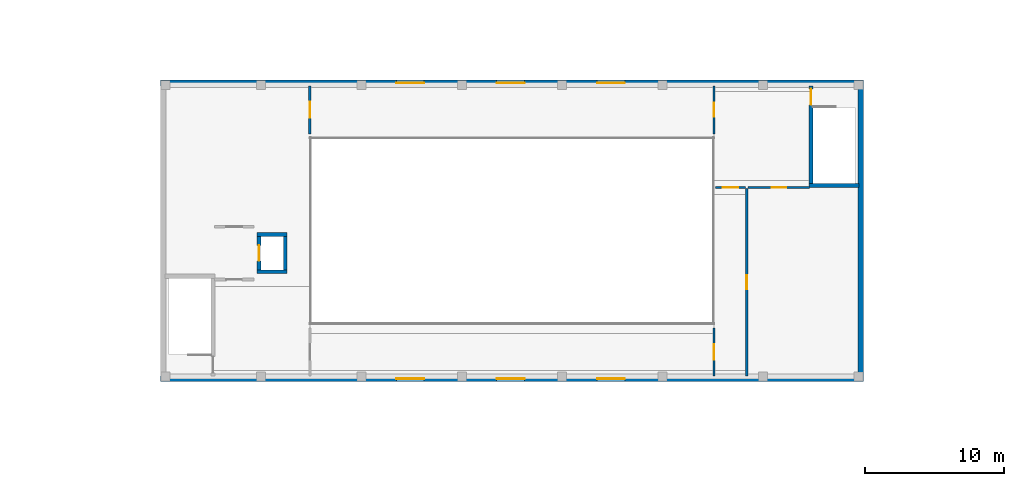
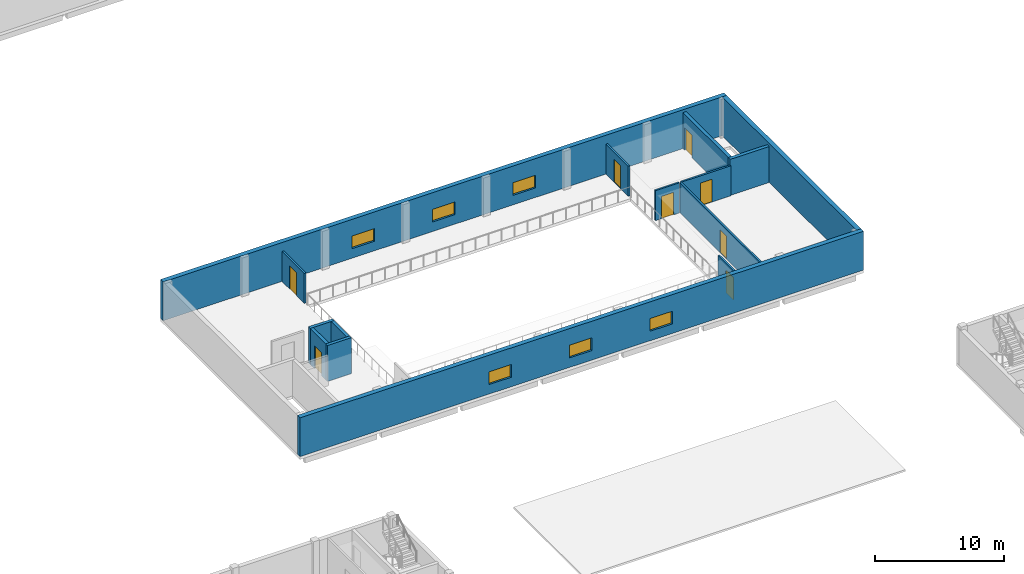
# One storey, part 40 of 73: 15 walls, 8 doors, 6 windows, 14 openings.
"""IFC4 building model written with IfcOpenShell, lengths in metres."""

from ifc_helpers import new_model, si_unit, derived_unit, direction, frame, frame_2d, origin, place, context, subcontext, project, spatial, rectangle, extrude, material, layer, layer_set, type_object, element, fill, save


model = new_model("IFC4")

# Units and contexts
model_context = context("Model", 3, precision=1e-05, world=origin(), true_north=direction((0.0, 1.0)))
body_context = subcontext(model_context, "Body", "Model", "MODEL_VIEW")
ifc_project = project(units=[si_unit("LENGTHUNIT", "METRE"), si_unit("AREAUNIT", "SQUARE_METRE"), si_unit("VOLUMEUNIT", "CUBIC_METRE"), si_unit("PLANEANGLEUNIT", "RADIAN"), si_unit("MASSUNIT", "GRAM", prefix="KILO"), derived_unit("THERMALTRANSMITTANCEUNIT", [(si_unit("MASSUNIT", "GRAM", prefix="KILO"), 1), (si_unit("TIMEUNIT", "SECOND"), -3), (si_unit("THERMODYNAMICTEMPERATUREUNIT", "KELVIN"), -1)])], contexts=[model_context])

# Site, building, storey
site_placement = place(None, origin())
site = spatial("IfcSite", under=ifc_project, at=site_placement, CompositionType="ELEMENT")
building_placement = place(site_placement, origin())
building = spatial("IfcBuilding", under=site, at=building_placement, Name="Ochrekiln Boulevard Commons", CompositionType="ELEMENT")
storey_placement = place(building_placement, frame((0.0, 0.0, 4.89990234375)))
storey = spatial("IfcBuildingStorey", under=building, at=storey_placement, Name="L01", CompositionType="ELEMENT", Elevation=4.89990234375)

# Wall, openings, windows
ifc_material_1 = material(Name="Iron-spot brown clinker brick masonry ASTM C216 Grade SW", Category="masonry")
ifc_layer_1 = layer(ifc_material_1, 0.39990234375)
ifc_layer_set_1 = layer_set([ifc_layer_1], Name="Iron-spot brown clinker brick masonry ASTM C216 Grade SW")
wall_type_1 = type_object("IfcWallType", Name="WL-EXT-HALL-400", PredefinedType="SOLIDWALL", material=ifc_layer_set_1)
wall_1_placement = place(storey_placement, frame((57.60009765625, 36.199951171875, 0.0), z_axis=(0.0, 0.0, 1.0), x_axis=(1.0, 0.0, 0.0)))
wall_1 = element("IfcWall", 1, at=wall_1_placement, inside=storey, type_object=wall_type_1, Name="Community Hall L01 S Exterior Wall", PredefinedType="SOLIDWALL", context=body_context, shape_type="SweptSolid", body=[
    extrude(rectangle(XDim=50.39990234375, YDim=0.39990234375, at=frame_2d((25.199951171875, 0.0))), origin(), (0.0, 0.0, 1.0), 3.675048828125),
])
opening_1_placement = place(wall_1_placement, frame((16.89990234375, 0.0, 0.89990234375)))
opening_1 = element("IfcOpeningElement", 2, at=opening_1_placement, cuts=wall_1, Name="Opening W-46", PredefinedType="OPENING", context=body_context, shape_type="SweptSolid", body=[
    extrude(rectangle(XDim=2.0, YDim=1.199951171875, at=frame_2d((1.0, 0.60009765625))), frame((0.0, 0.2099609375, 0.0), z_axis=(0.0, -1.0, 0.0), x_axis=(1.0, 0.0, 0.0)), (0.0, 0.0, 1.0), 0.419921875),
])
opening_2_placement = place(wall_1_placement, frame((24.10009765625, 0.0, 0.89990234375)))
opening_2 = element("IfcOpeningElement", 3, at=opening_2_placement, cuts=wall_1, Name="Opening W-46", PredefinedType="OPENING", context=body_context, shape_type="SweptSolid", body=[
    extrude(rectangle(XDim=2.0, YDim=1.199951171875, at=frame_2d((1.0, 0.60009765625))), frame((0.0, 0.2099609375, 0.0), z_axis=(0.0, -1.0, 0.0), x_axis=(1.0, 0.0, 0.0)), (0.0, 0.0, 1.0), 0.419921875),
])
opening_3_placement = place(wall_1_placement, frame((31.300048828125, 0.0, 0.89990234375)))
opening_3 = element("IfcOpeningElement", 4, at=opening_3_placement, cuts=wall_1, Name="Opening W-46", PredefinedType="OPENING", context=body_context, shape_type="SweptSolid", body=[
    extrude(rectangle(XDim=2.0, YDim=1.199951171875, at=frame_2d((1.0, 0.60009765625))), frame((0.0, 0.2099609375, 0.0), z_axis=(0.0, -1.0, 0.0), x_axis=(1.0, 0.0, 0.0)), (0.0, 0.0, 1.0), 0.419921875),
])
ifc_material_2 = material(Name="Thermally broken aluminium-clad oak frame", Category="aluminium")
window_type = type_object("IfcWindowType", Name="WIN-EXT-46", PartitioningType="DOUBLE_PANEL_VERTICAL", PredefinedType="WINDOW", material=ifc_material_2)
window_1_placement = place(opening_1_placement, origin())
window_1 = element("IfcWindow", 5, at=window_1_placement, inside=storey, type_object=window_type, Name="Community Hall Clerestory Window S-3", OverallHeight=1.199951171875, OverallWidth=2.0, PartitioningType="DOUBLE_PANEL_VERTICAL", PredefinedType="WINDOW", context=body_context, shape_type="SweptSolid", body=[
    extrude(rectangle(XDim=2.0, YDim=1.199951171875, at=frame_2d((1.0, 0.60009765625))), frame((0.0, 0.030029296875, 0.0), z_axis=(0.0, -1.0, 0.0), x_axis=(1.0, 0.0, 0.0)), (0.0, 0.0, 1.0), 0.06005859375),
])
fill(opening_1, window_1)
window_2_placement = place(opening_2_placement, origin())
window_2 = element("IfcWindow", 6, at=window_2_placement, inside=storey, type_object=window_type, Name="Community Hall Clerestory Window S-4", OverallHeight=1.199951171875, OverallWidth=2.0, PartitioningType="DOUBLE_PANEL_VERTICAL", PredefinedType="WINDOW", context=body_context, shape_type="SweptSolid", body=[
    extrude(rectangle(XDim=2.0, YDim=1.199951171875, at=frame_2d((1.0, 0.60009765625))), frame((0.0, 0.030029296875, 0.0), z_axis=(0.0, -1.0, 0.0), x_axis=(1.0, 0.0, 0.0)), (0.0, 0.0, 1.0), 0.06005859375),
])
fill(opening_2, window_2)
window_3_placement = place(opening_3_placement, origin())
window_3 = element("IfcWindow", 7, at=window_3_placement, inside=storey, type_object=window_type, Name="Community Hall Clerestory Window S-5", OverallHeight=1.199951171875, OverallWidth=2.0, PartitioningType="DOUBLE_PANEL_VERTICAL", PredefinedType="WINDOW", context=body_context, shape_type="SweptSolid", body=[
    extrude(rectangle(XDim=2.0, YDim=1.199951171875, at=frame_2d((1.0, 0.60009765625))), frame((0.0, 0.030029296875, 0.0), z_axis=(0.0, -1.0, 0.0), x_axis=(1.0, 0.0, 0.0)), (0.0, 0.0, 1.0), 0.06005859375),
])
fill(opening_3, window_3)

wall_2_placement = place(storey_placement, frame((57.60009765625, 57.39990234375, 0.0), z_axis=(0.0, 0.0, 1.0), x_axis=(1.0, 0.0, 0.0)))
wall_2 = element("IfcWall", 8, at=wall_2_placement, inside=storey, type_object=wall_type_1, Name="Community Hall L01 N Exterior Wall", PredefinedType="SOLIDWALL", context=body_context, shape_type="SweptSolid", body=[
    extrude(rectangle(XDim=50.39990234375, YDim=0.39990234375, at=frame_2d((25.199951171875, 0.0))), origin(), (0.0, 0.0, 1.0), 3.675048828125),
])
opening_4_placement = place(wall_2_placement, frame((16.89990234375, 0.0, 0.89990234375)))
opening_4 = element("IfcOpeningElement", 9, at=opening_4_placement, cuts=wall_2, Name="Opening W-46", PredefinedType="OPENING", context=body_context, shape_type="SweptSolid", body=[
    extrude(rectangle(XDim=2.0, YDim=1.199951171875, at=frame_2d((1.0, 0.60009765625))), frame((0.0, 0.2099609375, 0.0), z_axis=(0.0, -1.0, 0.0), x_axis=(1.0, 0.0, 0.0)), (0.0, 0.0, 1.0), 0.419921875),
])
opening_5_placement = place(wall_2_placement, frame((24.10009765625, 0.0, 0.89990234375)))
opening_5 = element("IfcOpeningElement", 10, at=opening_5_placement, cuts=wall_2, Name="Opening W-46", PredefinedType="OPENING", context=body_context, shape_type="SweptSolid", body=[
    extrude(rectangle(XDim=2.0, YDim=1.199951171875, at=frame_2d((1.0, 0.60009765625))), frame((0.0, 0.2099609375, 0.0), z_axis=(0.0, -1.0, 0.0), x_axis=(1.0, 0.0, 0.0)), (0.0, 0.0, 1.0), 0.419921875),
])
opening_6_placement = place(wall_2_placement, frame((31.300048828125, 0.0, 0.89990234375)))
opening_6 = element("IfcOpeningElement", 11, at=opening_6_placement, cuts=wall_2, Name="Opening W-46", PredefinedType="OPENING", context=body_context, shape_type="SweptSolid", body=[
    extrude(rectangle(XDim=2.0, YDim=1.199951171875, at=frame_2d((1.0, 0.60009765625))), frame((0.0, 0.2099609375, 0.0), z_axis=(0.0, -1.0, 0.0), x_axis=(1.0, 0.0, 0.0)), (0.0, 0.0, 1.0), 0.419921875),
])
window_4_placement = place(opening_4_placement, origin())
window_4 = element("IfcWindow", 12, at=window_4_placement, inside=storey, type_object=window_type, Name="Community Hall Clerestory Window N-3", OverallHeight=1.199951171875, OverallWidth=2.0, PartitioningType="DOUBLE_PANEL_VERTICAL", PredefinedType="WINDOW", context=body_context, shape_type="SweptSolid", body=[
    extrude(rectangle(XDim=2.0, YDim=1.199951171875, at=frame_2d((1.0, 0.60009765625))), frame((0.0, 0.030029296875, 0.0), z_axis=(0.0, -1.0, 0.0), x_axis=(1.0, 0.0, 0.0)), (0.0, 0.0, 1.0), 0.06005859375),
])
fill(opening_4, window_4)
window_5_placement = place(opening_5_placement, origin())
window_5 = element("IfcWindow", 13, at=window_5_placement, inside=storey, type_object=window_type, Name="Community Hall Clerestory Window N-4", OverallHeight=1.199951171875, OverallWidth=2.0, PartitioningType="DOUBLE_PANEL_VERTICAL", PredefinedType="WINDOW", context=body_context, shape_type="SweptSolid", body=[
    extrude(rectangle(XDim=2.0, YDim=1.199951171875, at=frame_2d((1.0, 0.60009765625))), frame((0.0, 0.030029296875, 0.0), z_axis=(0.0, -1.0, 0.0), x_axis=(1.0, 0.0, 0.0)), (0.0, 0.0, 1.0), 0.06005859375),
])
fill(opening_5, window_5)
window_6_placement = place(opening_6_placement, origin())
window_6 = element("IfcWindow", 14, at=window_6_placement, inside=storey, type_object=window_type, Name="Community Hall Clerestory Window N-5", OverallHeight=1.199951171875, OverallWidth=2.0, PartitioningType="DOUBLE_PANEL_VERTICAL", PredefinedType="WINDOW", context=body_context, shape_type="SweptSolid", body=[
    extrude(rectangle(XDim=2.0, YDim=1.199951171875, at=frame_2d((1.0, 0.60009765625))), frame((0.0, 0.030029296875, 0.0), z_axis=(0.0, -1.0, 0.0), x_axis=(1.0, 0.0, 0.0)), (0.0, 0.0, 1.0), 0.06005859375),
])
fill(opening_6, window_6)

# Wall
wall_3_placement = place(storey_placement, frame((107.800048828125, 36.39990234375, 0.0), z_axis=(0.0, 0.0, 1.0), x_axis=(0.0, 1.0, 0.0)))
element("IfcWall", 15, at=wall_3_placement, inside=storey, type_object=wall_type_1, Name="Community Hall L01 E Exterior Wall", PredefinedType="SOLIDWALL", context=body_context, shape_type="SweptSolid", body=[
    extrude(rectangle(XDim=20.800048828125, YDim=0.39990234375, at=frame_2d((10.39990234375, 0.0))), origin(), (0.0, 0.0, 1.0), 3.675048828125),
])

# Wall, opening, door
ifc_material_3 = material(Name="Fire-rated Type X gypsum board on steel studs", Category="steel")
ifc_layer_2 = layer(ifc_material_3, 0.169921875)
ifc_layer_set_2 = layer_set([ifc_layer_2], Name="Fire-rated Type X gypsum board on steel studs")
wall_type_2 = type_object("IfcWallType", Name="WL-PT-CIV-170", PredefinedType="PARTITIONING", material=ifc_layer_set_2)
wall_4_placement = place(storey_placement, frame((68.31005859375, 53.75, 0.0), z_axis=(0.0, 0.0, 1.0), x_axis=(0.0, 1.0, 0.0)))
wall_4 = element("IfcWall", 16, at=wall_4_placement, inside=storey, type_object=wall_type_2, Name="L01 Interior Wall W-PV170", PredefinedType="PARTITIONING", context=body_context, shape_type="SweptSolid", body=[
    extrude(rectangle(XDim=3.449951171875, YDim=0.169921875, at=frame_2d((1.72509765625, 0.0))), origin(), (0.0, 0.0, 1.0), 2.840087890625),
])
opening_7_placement = place(wall_4_placement, frame((1.155029296875, 0.0, 0.0)))
opening_7 = element("IfcOpeningElement", 17, at=opening_7_placement, cuts=wall_4, Name="Opening D-L01-273", PredefinedType="OPENING", context=body_context, shape_type="SweptSolid", body=[
    extrude(rectangle(XDim=1.139892578125, YDim=2.179931640625, at=frame_2d((0.56982421875, 1.08984375))), frame((0.0, 0.094970703125, 0.0), z_axis=(0.0, -1.0, 0.0), x_axis=(1.0, 0.0, 0.0)), (0.0, 0.0, 1.0), 0.18994140625),
])
ifc_material_4 = material(Name="Solid core architectural oak door leaf")
door_type_1 = type_object("IfcDoorType", Name="DR-INT-CIV-114", OperationType="NOTDEFINED", PredefinedType="DOOR", material=ifc_material_4)
door_1_placement = place(opening_7_placement, origin())
door_1 = element("IfcDoor", 18, at=door_1_placement, inside=storey, type_object=door_type_1, Name="L01 Interior Door to Community Craft Room", OperationType="SINGLE_SWING_LEFT", OverallHeight=2.179931640625, OverallWidth=1.139892578125, PredefinedType="DOOR", context=body_context, shape_type="SweptSolid", body=[
    extrude(rectangle(XDim=1.139892578125, YDim=2.179931640625, at=frame_2d((0.56982421875, 1.08984375))), frame((0.0, 0.02490234375, 0.0), z_axis=(0.0, -1.0, 0.0), x_axis=(1.0, 0.0, 0.0)), (0.0, 0.0, 1.0), 0.050048828125),
])
fill(opening_7, door_1)

ifc_layer_3 = layer(ifc_material_3, 0.1650390625)
ifc_layer_set_3 = layer_set([ifc_layer_3], Name="Fire-rated Type X gypsum board on steel studs")
wall_type_3 = type_object("IfcWallType", Name="WL-PT-CORR-165", PredefinedType="PARTITIONING", material=ifc_layer_set_3)
wall_5_placement = place(storey_placement, frame((97.2900390625, 36.39990234375, 0.0), z_axis=(0.0, 0.0, 1.0), x_axis=(0.0, 1.0, 0.0)))
wall_5 = element("IfcWall", 19, at=wall_5_placement, inside=storey, type_object=wall_type_3, Name="L01 Interior Wall W-PC165", PredefinedType="PARTITIONING", context=body_context, shape_type="SweptSolid", body=[
    extrude(rectangle(XDim=3.4501953125, YDim=0.1650390625, at=frame_2d((1.72509765625, 0.0))), origin(), (0.0, 0.0, 1.0), 2.840087890625),
])
opening_8_placement = place(wall_5_placement, frame((1.175048828125, 0.0, 0.0)))
opening_8 = element("IfcOpeningElement", 20, at=opening_8_placement, cuts=wall_5, Name="Opening D-L01-274", PredefinedType="OPENING", context=body_context, shape_type="SweptSolid", body=[
    extrude(rectangle(XDim=1.10009765625, YDim=2.1201171875, at=frame_2d((0.550048828125, 1.06005859375))), frame((0.0, 0.092529296875, 0.0), z_axis=(0.0, -1.0, 0.0), x_axis=(1.0, 0.0, 0.0)), (0.0, 0.0, 1.0), 0.18505859375),
])
ifc_material_5 = material(Name="Hollow metal fire-rated steel door assembly", Category="steel")
door_type_2 = type_object("IfcDoorType", Name="DR-LOBBY-60", OperationType="NOTDEFINED", PredefinedType="DOOR", material=ifc_material_5)
door_2_placement = place(opening_8_placement, frame((1.10009765625, 0.0, 0.0), z_axis=(0.0, 0.0, 1.0), x_axis=(-1.0, 0.0, 0.0)))
door_2 = element("IfcDoor", 21, at=door_2_placement, inside=storey, type_object=door_type_2, Name="L01 Interior Door to South-East Mezzanine Corridor", OperationType="SINGLE_SWING_RIGHT", OverallHeight=2.1201171875, OverallWidth=1.10009765625, PredefinedType="DOOR", context=body_context, shape_type="SweptSolid", body=[
    extrude(rectangle(XDim=1.10009765625, YDim=2.1201171875, at=frame_2d((0.550048828125, 1.06005859375))), frame((0.0, 0.02490234375, 0.0), z_axis=(0.0, -1.0, 0.0), x_axis=(1.0, 0.0, 0.0)), (0.0, 0.0, 1.0), 0.050048828125),
])
fill(opening_8, door_2)

wall_6_placement = place(storey_placement, frame((97.2900390625, 53.75, 0.0), z_axis=(0.0, 0.0, 1.0), x_axis=(0.0, 1.0, 0.0)))
wall_6 = element("IfcWall", 22, at=wall_6_placement, inside=storey, type_object=wall_type_3, Name="L01 Interior Wall W-PC165", PredefinedType="PARTITIONING", context=body_context, shape_type="SweptSolid", body=[
    extrude(rectangle(XDim=3.449951171875, YDim=0.1650390625, at=frame_2d((1.72509765625, 0.0))), origin(), (0.0, 0.0, 1.0), 2.840087890625),
])
opening_9_placement = place(wall_6_placement, frame((1.215087890625, 0.0, 0.0)))
opening_9 = element("IfcOpeningElement", 23, at=opening_9_placement, cuts=wall_6, Name="Opening D-L01-275", PredefinedType="OPENING", context=body_context, shape_type="SweptSolid", body=[
    extrude(rectangle(XDim=1.02001953125, YDim=2.159912109375, at=frame_2d((0.510009765625, 1.080078125))), frame((0.0, 0.092529296875, 0.0), z_axis=(0.0, -1.0, 0.0), x_axis=(1.0, 0.0, 0.0)), (0.0, 0.0, 1.0), 0.18505859375),
])
door_type_3 = type_object("IfcDoorType", Name="DR-INT-CIV-102", OperationType="NOTDEFINED", PredefinedType="DOOR", material=ifc_material_4)
door_3_placement = place(opening_9_placement, origin())
door_3 = element("IfcDoor", 24, at=door_3_placement, inside=storey, type_object=door_type_3, Name="L01 Interior Door to Community Hall Upper Craft Gallery", OperationType="SINGLE_SWING_LEFT", OverallHeight=2.159912109375, OverallWidth=1.02001953125, PredefinedType="DOOR", context=body_context, shape_type="SweptSolid", body=[
    extrude(rectangle(XDim=1.02001953125, YDim=2.159912109375, at=frame_2d((0.510009765625, 1.080078125))), frame((0.0, 0.02490234375, 0.0), z_axis=(0.0, -1.0, 0.0), x_axis=(1.0, 0.0, 0.0)), (0.0, 0.0, 1.0), 0.050048828125),
])
fill(opening_9, door_3)

wall_7_placement = place(storey_placement, frame((97.3798828125, 49.909912109375, 0.0), z_axis=(0.0, 0.0, 1.0), x_axis=(1.0, 0.0, 0.0)))
wall_7 = element("IfcWall", 25, at=wall_7_placement, inside=storey, type_object=wall_type_3, Name="L01 Interior Wall W-PC165", PredefinedType="PARTITIONING", context=body_context, shape_type="SweptSolid", body=[
    extrude(rectangle(XDim=2.170166015625, YDim=0.1650390625, at=frame_2d((1.0849609375, 0.0))), origin(), (0.0, 0.0, 1.0), 2.840087890625),
])
opening_10_placement = place(wall_7_placement, frame((0.534912109375, 0.0, 0.0)))
opening_10 = element("IfcOpeningElement", 26, at=opening_10_placement, cuts=wall_7, Name="Opening D-L01-276", PredefinedType="OPENING", context=body_context, shape_type="SweptSolid", body=[
    extrude(rectangle(XDim=1.10009765625, YDim=2.1201171875, at=frame_2d((0.550048828125, 1.06005859375))), frame((0.0, 0.092529296875, 0.0), z_axis=(0.0, -1.0, 0.0), x_axis=(1.0, 0.0, 0.0)), (0.0, 0.0, 1.0), 0.18505859375),
])
door_4_placement = place(opening_10_placement, frame((1.10009765625, 0.0, 0.0), z_axis=(0.0, 0.0, 1.0), x_axis=(-1.0, 0.0, 0.0)))
door_4 = element("IfcDoor", 27, at=door_4_placement, inside=storey, type_object=door_type_2, Name="L01 Interior Door to South-East Mezzanine Corridor", OperationType="SINGLE_SWING_RIGHT", OverallHeight=2.1201171875, OverallWidth=1.10009765625, PredefinedType="DOOR", context=body_context, shape_type="SweptSolid", body=[
    extrude(rectangle(XDim=1.10009765625, YDim=2.1201171875, at=frame_2d((0.550048828125, 1.06005859375))), frame((0.0, 0.02490234375, 0.0), z_axis=(0.0, -1.0, 0.0), x_axis=(1.0, 0.0, 0.0)), (0.0, 0.0, 1.0), 0.050048828125),
])
fill(opening_10, door_4)

wall_8_placement = place(storey_placement, frame((99.72998046875, 49.909912109375, 0.0), z_axis=(0.0, 0.0, 1.0), x_axis=(1.0, 0.0, 0.0)))
wall_8 = element("IfcWall", 28, at=wall_8_placement, inside=storey, type_object=wall_type_3, Name="L01 Interior Wall W-PC165", PredefinedType="PARTITIONING", context=body_context, shape_type="SweptSolid", body=[
    extrude(rectangle(XDim=4.419921875, YDim=0.1650390625, at=frame_2d((2.2099609375, 0.0))), origin(), (0.0, 0.0, 1.0), 2.840087890625),
])
opening_11_placement = place(wall_8_placement, frame((1.699951171875, 0.0, 0.0)))
opening_11 = element("IfcOpeningElement", 29, at=opening_11_placement, cuts=wall_8, Name="Opening D-L01-277", PredefinedType="OPENING", context=body_context, shape_type="SweptSolid", body=[
    extrude(rectangle(XDim=1.02001953125, YDim=2.159912109375, at=frame_2d((0.510009765625, 1.080078125))), frame((0.0, 0.092529296875, 0.0), z_axis=(0.0, -1.0, 0.0), x_axis=(1.0, 0.0, 0.0)), (0.0, 0.0, 1.0), 0.18505859375),
])
door_5_placement = place(opening_11_placement, frame((1.02001953125, 0.0, 0.0), z_axis=(0.0, 0.0, 1.0), x_axis=(-1.0, 0.0, 0.0)))
door_5 = element("IfcDoor", 30, at=door_5_placement, inside=storey, type_object=door_type_3, Name="L01 Interior Door to Neighborhood Breakout Room", OperationType="SINGLE_SWING_LEFT", OverallHeight=2.159912109375, OverallWidth=1.02001953125, PredefinedType="DOOR", context=body_context, shape_type="SweptSolid", body=[
    extrude(rectangle(XDim=1.02001953125, YDim=2.159912109375, at=frame_2d((0.510009765625, 1.080078125))), frame((0.0, 0.02490234375, 0.0), z_axis=(0.0, -1.0, 0.0), x_axis=(1.0, 0.0, 0.0)), (0.0, 0.0, 1.0), 0.050048828125),
])
fill(opening_11, door_5)

wall_9_placement = place(storey_placement, frame((99.639892578125, 36.39990234375, 0.0), z_axis=(0.0, 0.0, 1.0), x_axis=(0.0, 1.0, 0.0)))
wall_9 = element("IfcWall", 31, at=wall_9_placement, inside=storey, type_object=wall_type_3, Name="L01 Interior Wall W-PC165", PredefinedType="PARTITIONING", context=body_context, shape_type="SweptSolid", body=[
    extrude(rectangle(XDim=13.427001953125, YDim=0.1650390625, at=frame_2d((6.71337890625, 0.0))), origin(), (0.0, 0.0, 1.0), 2.840087890625),
])
opening_12_placement = place(wall_9_placement, frame((6.199951171875, 0.0, 0.0)))
opening_12 = element("IfcOpeningElement", 32, at=opening_12_placement, cuts=wall_9, Name="Opening D-L01-278", PredefinedType="OPENING", context=body_context, shape_type="SweptSolid", body=[
    extrude(rectangle(XDim=1.02001953125, YDim=2.159912109375, at=frame_2d((0.510009765625, 1.080078125))), frame((0.0, 0.092529296875, 0.0), z_axis=(0.0, -1.0, 0.0), x_axis=(1.0, 0.0, 0.0)), (0.0, 0.0, 1.0), 0.18505859375),
])
door_6_placement = place(opening_12_placement, frame((1.02001953125, 0.0, 0.0), z_axis=(0.0, 0.0, 1.0), x_axis=(-1.0, 0.0, 0.0)))
door_6 = element("IfcDoor", 33, at=door_6_placement, inside=storey, type_object=door_type_3, Name="L01 Interior Door to Neighborhood Breakout Room", OperationType="SINGLE_SWING_RIGHT", OverallHeight=2.159912109375, OverallWidth=1.02001953125, PredefinedType="DOOR", context=body_context, shape_type="SweptSolid", body=[
    extrude(rectangle(XDim=1.02001953125, YDim=2.159912109375, at=frame_2d((0.510009765625, 1.080078125))), frame((0.0, 0.02490234375, 0.0), z_axis=(0.0, -1.0, 0.0), x_axis=(1.0, 0.0, 0.0)), (0.0, 0.0, 1.0), 0.050048828125),
])
fill(opening_12, door_6)

# Walls
ifc_material_6 = material(Name="Concrete C40/50", Category="concrete")
ifc_layer_4 = layer(ifc_material_6, 0.27490234375)
ifc_layer_set_4 = layer_set([ifc_layer_4], Name="Concrete C40/50")
wall_type_4 = type_object("IfcWallType", Name="WL-SH-275", PredefinedType="SHEAR", material=ifc_layer_set_4)
for number, where, z_axis, x_axis, name in (
    (34, (64.52490234375, 43.862548828125, 0.0), (0.0, 0.0, 1.0), (1.0, 0.0, 0.0), "Elevator LP-H1 L01 Hoistway Shear Wall"),
    (35, (64.52490234375, 46.53759765625, 0.0), (0.0, 0.0, 1.0), (1.0, 0.0, 0.0), "Elevator LP-H1 L01 Hoistway Shear Wall"),
):
    element("IfcWall", number, at=place(storey_placement, frame(where, z_axis=z_axis, x_axis=x_axis)), inside=storey, type_object=wall_type_4, Name=name, PredefinedType="SHEAR", context=body_context, shape_type="SweptSolid", body=[
        extrude(rectangle(XDim=2.150146484375, YDim=0.27490234375, at=frame_2d((1.0751953125, 0.0))), origin(), (0.0, 0.0, 1.0), 3.405029296875),
    ])

# Wall, opening, door
wall_10_placement = place(storey_placement, frame((64.66259765625, 44.0, 0.0), z_axis=(0.0, 0.0, 1.0), x_axis=(0.0, 1.0, 0.0)))
wall_10 = element("IfcWall", 36, at=wall_10_placement, inside=storey, type_object=wall_type_4, Name="Elevator LP-H1 L01 Hoistway Shear Wall", PredefinedType="SHEAR", context=body_context, shape_type="SweptSolid", body=[
    extrude(rectangle(XDim=2.39990234375, YDim=0.27490234375, at=frame_2d((1.199951171875, 0.0))), origin(), (0.0, 0.0, 1.0), 3.405029296875),
])
opening_13_placement = place(wall_10_placement, frame((0.64990234375, 0.0, 0.0)))
opening_13 = element("IfcOpeningElement", 37, at=opening_13_placement, cuts=wall_10, Name="Opening LD-LP-H1-L01", PredefinedType="OPENING", context=body_context, shape_type="SweptSolid", body=[
    extrude(rectangle(XDim=1.10009765625, YDim=2.14990234375, at=frame_2d((0.550048828125, 1.074951171875))), frame((0.0, 0.1474609375, 0.0), z_axis=(0.0, -1.0, 0.0), x_axis=(1.0, 0.0, 0.0)), (0.0, 0.0, 1.0), 0.294921875),
])
ifc_material_7 = material(Name="Brushed stainless steel 316 elevator cab and doors", Category="steel")
door_type_4 = type_object("IfcDoorType", Name="DR-LIFT-LD90", OperationType="SLIDING_TO_LEFT", PredefinedType="DOOR", material=ifc_material_7)
door_7_placement = place(opening_13_placement, origin())
door_7 = element("IfcDoor", 38, at=door_7_placement, inside=storey, type_object=door_type_4, Name="Elevator LP-H1 L01 Sliding Landing Door LD-LP-H1-L01", OperationType="SLIDING_TO_LEFT", OverallHeight=2.14990234375, OverallWidth=1.10009765625, PredefinedType="DOOR", context=body_context, shape_type="SweptSolid", body=[
    extrude(rectangle(XDim=1.10009765625, YDim=2.14990234375, at=frame_2d((0.550048828125, 1.074951171875))), frame((0.0, 0.02490234375, 0.0), z_axis=(0.0, -1.0, 0.0), x_axis=(1.0, 0.0, 0.0)), (0.0, 0.0, 1.0), 0.050048828125),
])
fill(opening_13, door_7)

# Walls
wall_11_placement = place(storey_placement, frame((66.53759765625, 44.0, 0.0), z_axis=(0.0, 0.0, 1.0), x_axis=(0.0, 1.0, 0.0)))
element("IfcWall", 39, at=wall_11_placement, inside=storey, type_object=wall_type_4, Name="Elevator LP-H1 L01 Hoistway Shear Wall", PredefinedType="SHEAR", context=body_context, shape_type="SweptSolid", body=[
    extrude(rectangle(XDim=2.39990234375, YDim=0.27490234375, at=frame_2d((1.199951171875, 0.0))), origin(), (0.0, 0.0, 1.0), 3.405029296875),
])
ifc_layer_5 = layer(ifc_material_6, 0.300048828125)
ifc_layer_set_5 = layer_set([ifc_layer_5], Name="Concrete C40/50")
wall_type_5 = type_object("IfcWallType", Name="WL-SH-300", PredefinedType="SHEAR", material=ifc_layer_set_5)
wall_12_placement = place(storey_placement, frame((104.10009765625, 50.050048828125, 0.0), z_axis=(0.0, 0.0, 1.0), x_axis=(1.0, 0.0, 0.0)))
element("IfcWall", 40, at=wall_12_placement, inside=storey, type_object=wall_type_5, Name="Stair ST-H2 L01 Core Shear Wall S", PredefinedType="SHEAR", context=body_context, shape_type="SweptSolid", body=[
    extrude(rectangle(XDim=3.599853515625, YDim=0.300048828125, at=frame_2d((1.7998046875, 0.0))), origin(), (0.0, 0.0, 1.0), 3.405029296875),
])

# Wall, opening, door
wall_13_placement = place(storey_placement, frame((104.25, 50.199951171875, 0.0), z_axis=(0.0, 0.0, 1.0), x_axis=(0.0, 1.0, 0.0)))
wall_13 = element("IfcWall", 41, at=wall_13_placement, inside=storey, type_object=wall_type_5, Name="Stair ST-H2 L01 Core Shear Wall W", PredefinedType="SHEAR", context=body_context, shape_type="SweptSolid", body=[
    extrude(rectangle(XDim=7.0, YDim=0.300048828125, at=frame_2d((3.5, 0.0))), origin(), (0.0, 0.0, 1.0), 3.405029296875),
])
opening_14_placement = place(wall_13_placement, frame((5.625, 0.0, 0.0)))
opening_14 = element("IfcOpeningElement", 42, at=opening_14_placement, cuts=wall_13, Name="Opening D-L01-ST-H2", PredefinedType="OPENING", context=body_context, shape_type="SweptSolid", body=[
    extrude(rectangle(XDim=1.14990234375, YDim=2.1201171875, at=frame_2d((0.574951171875, 1.06005859375))), frame((0.0, 0.159912109375, 0.0), z_axis=(0.0, -1.0, 0.0), x_axis=(1.0, 0.0, 0.0)), (0.0, 0.0, 1.0), 0.320068359375),
])
door_type_5 = type_object("IfcDoorType", Name="DR-STAIR-90", OperationType="NOTDEFINED", PredefinedType="DOOR", material=ifc_material_5)
door_8_placement = place(opening_14_placement, frame((1.14990234375, 0.0, 0.0), z_axis=(0.0, 0.0, 1.0), x_axis=(-1.0, 0.0, 0.0)))
door_8 = element("IfcDoor", 43, at=door_8_placement, inside=storey, type_object=door_type_5, Name="Enclosed Exit Stair ST-H2 L01 Rated Door", OperationType="SINGLE_SWING_RIGHT", OverallHeight=2.1201171875, OverallWidth=1.14990234375, PredefinedType="DOOR", context=body_context, shape_type="SweptSolid", body=[
    extrude(rectangle(XDim=1.14990234375, YDim=2.1201171875, at=frame_2d((0.574951171875, 1.06005859375))), frame((0.0, 0.02490234375, 0.0), z_axis=(0.0, -1.0, 0.0), x_axis=(1.0, 0.0, 0.0)), (0.0, 0.0, 1.0), 0.050048828125),
])
fill(opening_14, door_8)

save(model, "model.ifc")
